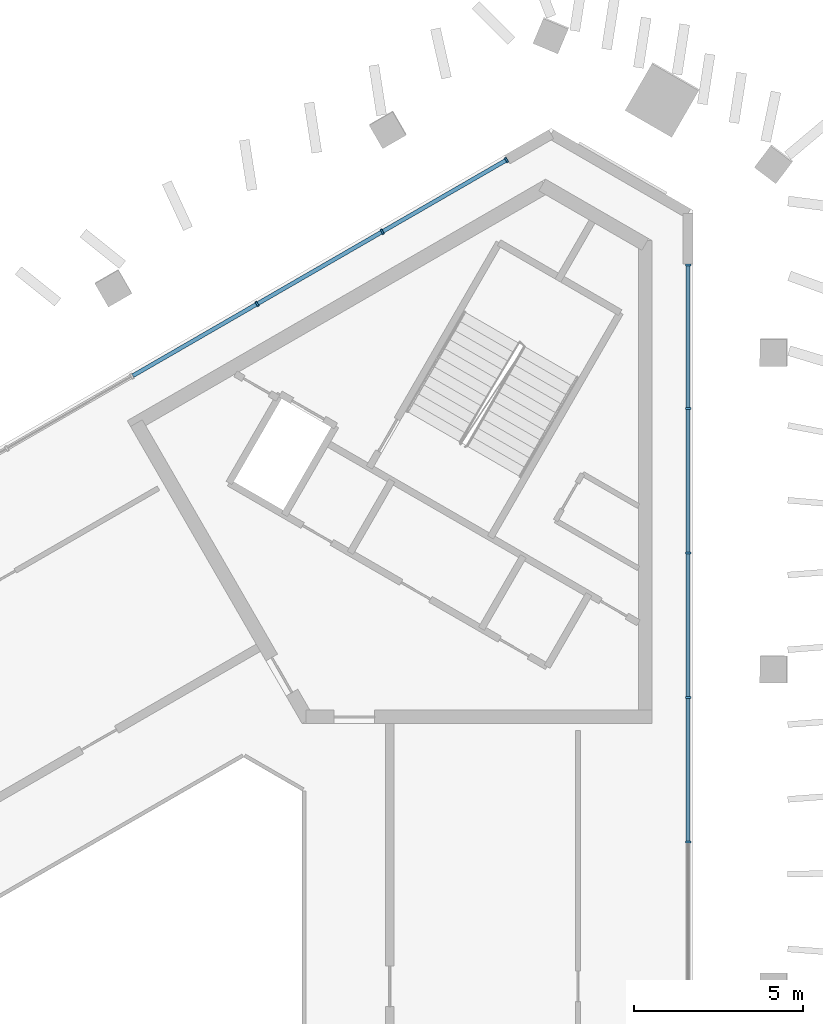
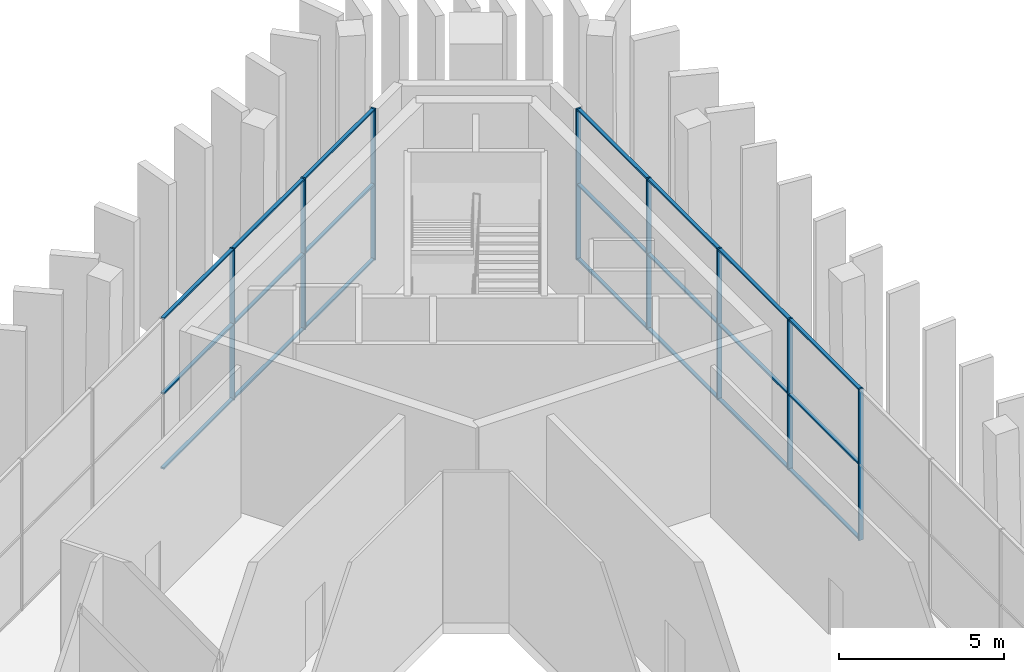
# One storey, part 5 of 12: 29 members, 2 elements without a shape of their own.
"""IFC4 building model written with IfcOpenShell, lengths in metres."""

import ifcopenshell
import ifcopenshell.guid

model = None  # the IFC model being written
_history = None  # IfcOwnerHistory: only IFC2X3 demands one
_inside = {}  # id of a spatial element -> (the spatial element, [elements in it])
_under = {}  # id of a project, library or spatial element -> (it, [spatial elements below it])
_declared = {}  # id of a project -> (the project, [libraries it declares])
_typed = {}  # id of a type object -> (the type object, [elements of that type])
_made_of = {}  # id of a material, layer set ... -> (it, [elements and type objects made of it])


def new_model(schema):
    """Start an empty IFC model of exactly this schema.

    Asked for "IFC4X3", IfcOpenShell would pick the latest addendum, in which some entities
    have other attributes; the version numbers below select the first issue.
    IFC2X3 requires an IfcOwnerHistory on every rooted entity: one is made here for all.
    """
    global model, _history
    if schema == "IFC4X3":
        model = ifcopenshell.file(schema_version=(4, 3, 0, 0))
    else:
        model = ifcopenshell.file(schema=schema)
    _inside.clear()
    _under.clear()
    _declared.clear()
    _typed.clear()
    _made_of.clear()
    _history = None
    if model.schema == "IFC2X3":
        org = make("IfcOrganization", Name="unknown")
        user = make(
            "IfcPersonAndOrganization",
            ThePerson=make("IfcPerson", FamilyName="unknown"),
            TheOrganization=org,
        )
        app = make(
            "IfcApplication",
            ApplicationDeveloper=org,
            Version="unknown",
            ApplicationFullName="unknown",
            ApplicationIdentifier="unknown",
        )
        _history = make(
            "IfcOwnerHistory",
            OwningUser=user,
            OwningApplication=app,
            ChangeAction="ADDED",
            CreationDate=0,
        )
    return model


def make(cls, **values):
    """One entity of the class cls with the attributes given. An attribute that is None is left unset."""
    return model.create_entity(
        cls, **{name: value for name, value in values.items() if value is not None}
    )


def rooted(cls, **values):
    """An entity with a GlobalId (a new one), such as an element, a storey or a relation."""
    return make(cls, GlobalId=ifcopenshell.guid.new(), OwnerHistory=_history, **values)


def si_unit(unit_type, name, prefix=None):
    """IfcSIUnit, for example si_unit("LENGTHUNIT", "METRE", prefix="MILLI")."""
    return make("IfcSIUnit", UnitType=unit_type, Prefix=prefix, Name=name)


def assignment(units):
    """IfcUnitAssignment: the units of a project."""
    return None if units is None else make("IfcUnitAssignment", Units=units)


def point(xyz):
    """IfcCartesianPoint."""
    return None if xyz is None else make("IfcCartesianPoint", Coordinates=xyz)


def direction(xyz):
    """IfcDirection."""
    return None if xyz is None else make("IfcDirection", DirectionRatios=xyz)


def frame(location, z_axis=None, x_axis=None):
    """IfcAxis2Placement3D, a coordinate frame: its origin and axes. An axis left out is left unset."""
    return make(
        "IfcAxis2Placement3D",
        Location=point(location),
        Axis=direction(z_axis),
        RefDirection=direction(x_axis),
    )


def frame_2d(location, x_axis=None):
    """IfcAxis2Placement2D, a coordinate frame in the plane: its origin and x axis."""
    return make(
        "IfcAxis2Placement2D", Location=point(location), RefDirection=direction(x_axis)
    )


def origin():
    """The frame at (0, 0, 0) with its axes left unset."""
    return frame((0.0, 0.0, 0.0))


def origin_2d():
    """The frame at (0, 0) in the plane with its x axis left unset."""
    return frame_2d((0.0, 0.0))


def place(relative_to, where):
    """IfcLocalPlacement: puts the frame where relative to a parent placement (None: the world)."""
    return make(
        "IfcLocalPlacement", PlacementRelTo=relative_to, RelativePlacement=where
    )


def context(
    kind, dimensions, precision=None, world=None, true_north=None, identifier=None
):
    """IfcGeometricRepresentationContext, for example the 3D "Model" context."""
    return make(
        "IfcGeometricRepresentationContext",
        ContextIdentifier=identifier,
        ContextType=kind,
        CoordinateSpaceDimension=dimensions,
        Precision=precision,
        WorldCoordinateSystem=world,
        TrueNorth=true_north,
    )


def subcontext(parent, identifier, kind, view, scale=None):
    """IfcGeometricRepresentationSubContext, for example "Body" below "Model"."""
    return make(
        "IfcGeometricRepresentationSubContext",
        ContextIdentifier=identifier,
        ContextType=kind,
        ParentContext=parent,
        TargetScale=scale,
        TargetView=view,
    )


def project(units=None, contexts=None):
    """IfcProject with its units and contexts."""
    return rooted(
        "IfcProject",
        Name="project",
        RepresentationContexts=contexts,
        UnitsInContext=assignment(units),
    )


def spatial(cls, under=None, at=None, **own):
    """A site, building, storey or space (cls), placed at a placement, below another one or the project."""
    s = rooted(cls, ObjectPlacement=at, **own)
    if under is not None:
        _under.setdefault(under.id(), (under, []))[1].append(s)
    return s


def profile(cls, at=None, kind="AREA", **sizes):
    """A parametric profile (cls). Its sizes go by their IFC names, for example OverallWidth=200.0."""
    return make(cls, ProfileType=kind, Position=at, **sizes)


def rectangle(**sizes):
    """IfcRectangleProfileDef."""
    return profile("IfcRectangleProfileDef", **sizes)


def extrude(swept, where, along, depth):
    """IfcExtrudedAreaSolid: the profile swept, set in the frame where, extruded along a direction by depth."""
    return make(
        "IfcExtrudedAreaSolid",
        SweptArea=swept,
        Position=where,
        ExtrudedDirection=direction(along),
        Depth=depth,
    )


def shape(context_of_items, identifier, shape_type, items):
    """IfcShapeRepresentation: the items that make up one representation, for example the "Body"."""
    return make(
        "IfcShapeRepresentation",
        ContextOfItems=context_of_items,
        RepresentationIdentifier=identifier,
        RepresentationType=shape_type,
        Items=items,
    )


def material(Name=None, Category=None):
    """IfcMaterial."""
    return make("IfcMaterial", Name=Name, Category=Category)


def layer(
    of_material, thickness, ventilated=None, Name=None, Category=None, Priority=None
):
    """IfcMaterialLayer: one layer of a wall or slab, of a material (None: an air gap)."""
    return make(
        "IfcMaterialLayer",
        Material=of_material,
        LayerThickness=thickness,
        IsVentilated=ventilated,
        Name=Name,
        Category=Category,
        Priority=Priority,
    )


def layer_set(layers, Name=None):
    """IfcMaterialLayerSet."""
    return make("IfcMaterialLayerSet", MaterialLayers=layers, LayerSetName=Name)


def material_profile(
    of_material, cross_section, Name=None, Category=None, Priority=None
):
    """IfcMaterialProfile: a cross section and its material."""
    return make(
        "IfcMaterialProfile",
        Name=Name,
        Material=of_material,
        Profile=cross_section,
        Priority=Priority,
        Category=Category,
    )


def profile_set(profiles, Name=None, composite=None):
    """IfcMaterialProfileSet."""
    return make(
        "IfcMaterialProfileSet",
        Name=Name,
        MaterialProfiles=profiles,
        CompositeProfile=composite,
    )


def made_of(thing, what):
    """Note that an element or type object is made of a material, layer set ...; save() writes the relation."""
    if what is not None:
        _made_of.setdefault(what.id(), (what, []))[1].append(thing)
    return thing


def type_object(cls, material=None, **own):
    """A type object (cls), such as IfcWallType, which elements share."""
    return made_of(rooted(cls, **own), material)


def element(
    cls,
    number,
    at=None,
    inside=None,
    cuts=None,
    type_object=None,
    material=None,
    context=None,
    identifier="Body",
    shape_type=None,
    held_by="IfcProductDefinitionShape",
    body=None,
    shapes=None,
    **own,
):
    """One element of the class cls, such as IfcWall. Its Tag is "e" and its number.

    at: its placement. inside: the storey or other place that contains it. cuts: it is an
    opening in that element (IfcRelVoidsElement). A single representation is given by context,
    identifier, shape_type and body (its items); several are given by shapes. held_by: the class
    of the entity that holds the representations. save() writes the other relations.
    """
    e = rooted(cls, Tag="e%d" % number, ObjectPlacement=at, **own)
    if body is not None:
        shapes = [shape(context, identifier, shape_type, body)]
    if shapes is not None:
        e.Representation = make(held_by, Representations=shapes)
    if inside is not None:
        _inside.setdefault(inside.id(), (inside, []))[1].append(e)
    if cuts is not None:
        rooted(
            "IfcRelVoidsElement", RelatingBuildingElement=cuts, RelatedOpeningElement=e
        )
    if type_object is not None:
        _typed.setdefault(type_object.id(), (type_object, []))[1].append(e)
    return made_of(e, material)


def aggregate(whole, parts):
    """IfcRelAggregates: a whole, such as a stair, and the parts it consists of."""
    return rooted("IfcRelAggregates", RelatingObject=whole, RelatedObjects=parts)


def save(model, path):
    """Write the relations noted so far, then the file.

    IfcRelAggregates (storeys below a building ...), IfcRelContainedInSpatialStructure (elements
    in a storey), IfcRelDefinesByType, IfcRelAssociatesMaterial and IfcRelDeclares: one each for
    every whole, place, type object, material and project.
    """
    for whole, parts in _under.values():
        aggregate(whole, parts)
    for where, things in _inside.values():
        rooted(
            "IfcRelContainedInSpatialStructure",
            RelatedElements=things,
            RelatingStructure=where,
        )
    for kind, things in _typed.values():
        rooted("IfcRelDefinesByType", RelatedObjects=things, RelatingType=kind)
    for what, things in _made_of.values():
        rooted("IfcRelAssociatesMaterial", RelatedObjects=things, RelatingMaterial=what)
    for by, libraries in _declared.values():
        rooted("IfcRelDeclares", RelatingContext=by, RelatedDefinitions=libraries)
    model.write(path)


model = new_model("IFC4")

# Units and contexts
model_context = context("Model", 3, precision=1e-05, world=origin(), true_north=direction((0.0, 1.0)))
body_context = subcontext(model_context, "Body", "Model", "MODEL_VIEW")
ifc_project = project(units=[si_unit("LENGTHUNIT", "METRE"), si_unit("AREAUNIT", "SQUARE_METRE"), si_unit("VOLUMEUNIT", "CUBIC_METRE"), si_unit("PLANEANGLEUNIT", "RADIAN"), si_unit("MASSUNIT", "GRAM", prefix="KILO")], contexts=[model_context])

# Site, building, storey
site_placement = place(None, origin())
site = spatial("IfcSite", under=ifc_project, at=site_placement, CompositionType="ELEMENT")
building_placement = place(site_placement, origin())
building = spatial("IfcBuilding", under=site, at=building_placement, Name="Jabali Bay Hotel Tower and Convention Centre", CompositionType="ELEMENT")
storey_placement = place(building_placement, frame((0.0, 0.0, 304.800048828125)))
storey = spatial("IfcBuildingStorey", under=building, at=storey_placement, Name="L75", CompositionType="ELEMENT", Elevation=304.800048828125)

# Curtain wall, members
ifc_material_1 = material(Name="Aluminium and glass", Category="aluminium")
ifc_layer = layer(ifc_material_1, 0.159912109375)
ifc_layer_set = layer_set([ifc_layer], Name="Aluminium and glass")
curtain_wall_type = type_object("IfcCurtainWallType", Name="CW3 curtain wall", PredefinedType="NOTDEFINED", material=ifc_layer_set)
curtain_wall_1_placement = place(storey_placement, origin())
curtain_wall_1 = element("IfcCurtainWall", 1, at=curtain_wall_1_placement, inside=storey, type_object=curtain_wall_type, Name="CW3 curtain wall east face L75", PredefinedType="NOTDEFINED")
ifc_material_2 = material(Name="Aluminium", Category="aluminium")
ifc_material_profile_1 = material_profile(ifc_material_2, rectangle(XDim=0.159912109375, YDim=0.06005859375, at=origin_2d()), Name="CW3 mullion 60 x 160")
ifc_profile_set_1 = profile_set([ifc_material_profile_1], Name="Aluminium")
member_type_1 = type_object("IfcMemberType", Name="CW3 mullion 60 x 160", PredefinedType="MULLION", material=ifc_profile_set_1)
member_1_placement = place(storey_placement, frame((90.9521484375, 101.407470703125, 0.0), z_axis=(0.0, 0.0, 1.0), x_axis=(1.0, 0.0, 0.0)))
member_1 = element("IfcMember", 2, at=member_1_placement, type_object=member_type_1, Name="CW3 mullion 1", PredefinedType="MULLION", context=body_context, shape_type="SweptSolid", body=[
    extrude(rectangle(XDim=0.159912109375, YDim=0.06005859375, at=origin_2d()), origin(), (0.0, 0.0, 1.0), 5.599853515625),
])
member_2_placement = place(storey_placement, frame((90.9521484375, 97.150146484375, 0.0), z_axis=(0.0, 0.0, 1.0), x_axis=(1.0, 0.0, 0.0)))
member_2 = element("IfcMember", 3, at=member_2_placement, type_object=member_type_1, Name="CW3 mullion 2", PredefinedType="MULLION", context=body_context, shape_type="SweptSolid", body=[
    extrude(rectangle(XDim=0.159912109375, YDim=0.06005859375, at=origin_2d()), origin(), (0.0, 0.0, 1.0), 5.599853515625),
])
member_3_placement = place(storey_placement, frame((90.9521484375, 92.862548828125, 0.0), z_axis=(0.0, 0.0, 1.0), x_axis=(1.0, 0.0, 0.0)))
member_3 = element("IfcMember", 4, at=member_3_placement, type_object=member_type_1, Name="CW3 mullion 3", PredefinedType="MULLION", context=body_context, shape_type="SweptSolid", body=[
    extrude(rectangle(XDim=0.159912109375, YDim=0.06005859375, at=origin_2d()), origin(), (0.0, 0.0, 1.0), 5.599853515625),
])
member_4_placement = place(storey_placement, frame((90.9521484375, 88.574951171875, 0.0), z_axis=(0.0, 0.0, 1.0), x_axis=(1.0, 0.0, 0.0)))
member_4 = element("IfcMember", 5, at=member_4_placement, type_object=member_type_1, Name="CW3 mullion 4", PredefinedType="MULLION", context=body_context, shape_type="SweptSolid", body=[
    extrude(rectangle(XDim=0.159912109375, YDim=0.06005859375, at=origin_2d()), origin(), (0.0, 0.0, 1.0), 5.599853515625),
])
member_5_placement = place(storey_placement, frame((90.9521484375, 84.28759765625, 0.0), z_axis=(0.0, 0.0, 1.0), x_axis=(1.0, 0.0, 0.0)))
member_5 = element("IfcMember", 6, at=member_5_placement, type_object=member_type_1, Name="CW3 mullion 5", PredefinedType="MULLION", context=body_context, shape_type="SweptSolid", body=[
    extrude(rectangle(XDim=0.159912109375, YDim=0.06005859375, at=origin_2d()), origin(), (0.0, 0.0, 1.0), 5.599853515625),
])

curtain_wall_2_placement = place(storey_placement, origin())
curtain_wall_2 = element("IfcCurtainWall", 7, at=curtain_wall_2_placement, inside=storey, type_object=curtain_wall_type, Name="CW3 curtain wall north-west face L75", PredefinedType="NOTDEFINED")
member_6_placement = place(storey_placement, frame((78.163330078125, 100.24609375, 0.0), z_axis=(0.0, 0.0, 1.0), x_axis=(-0.500000013347, 0.866025396079, 0.0)))
member_6 = element("IfcMember", 8, at=member_6_placement, type_object=member_type_1, Name="CW3 mullion 9", PredefinedType="MULLION", context=body_context, shape_type="SweptSolid", body=[
    extrude(rectangle(XDim=0.159912109375, YDim=0.06005859375, at=origin_2d()), origin(), (0.0, 0.0, 1.0), 5.599853515625),
])
member_7_placement = place(storey_placement, frame((81.87646484375, 102.389892578125, 0.0), z_axis=(0.0, 0.0, 1.0), x_axis=(-0.500000013347, 0.866025396079, 0.0)))
member_7 = element("IfcMember", 9, at=member_7_placement, type_object=member_type_1, Name="CW3 mullion 10", PredefinedType="MULLION", context=body_context, shape_type="SweptSolid", body=[
    extrude(rectangle(XDim=0.159912109375, YDim=0.06005859375, at=origin_2d()), origin(), (0.0, 0.0, 1.0), 5.599853515625),
])
member_8_placement = place(storey_placement, frame((85.5634765625, 104.518798828125, 0.0), z_axis=(0.0, 0.0, 1.0), x_axis=(-0.500000013347, 0.866025396079, 0.0)))
member_8 = element("IfcMember", 10, at=member_8_placement, type_object=member_type_1, Name="CW3 mullion 11", PredefinedType="MULLION", context=body_context, shape_type="SweptSolid", body=[
    extrude(rectangle(XDim=0.159912109375, YDim=0.06005859375, at=origin_2d()), origin(), (0.0, 0.0, 1.0), 5.599853515625),
])

# Member
ifc_material_profile_2 = material_profile(ifc_material_2, rectangle(XDim=0.1201171875, YDim=0.06005859375, at=origin_2d()), Name="CW3 transom 60 x 120")
ifc_profile_set_2 = profile_set([ifc_material_profile_2], Name="Aluminium")
member_type_2 = type_object("IfcMemberType", Name="CW3 transom 60 x 120", PredefinedType="USERDEFINED", material=ifc_profile_set_2)
member_9_placement = place(storey_placement, frame((90.9521484375, 101.377685546875, 0.030029296875), z_axis=(0.0, -1.0, 0.0), x_axis=(1.0, 0.0, 0.0)))
member_9 = element("IfcMember", 11, at=member_9_placement, type_object=member_type_2, Name="CW3 transom 1.1", ObjectType="TRANSOM", PredefinedType="USERDEFINED", context=body_context, shape_type="SweptSolid", body=[
    extrude(rectangle(XDim=0.1201171875, YDim=0.06005859375, at=origin_2d()), origin(), (0.0, 0.0, 1.0), 4.197509765625),
])

member_10_placement = place(storey_placement, frame((90.9521484375, 101.377685546875, 2.800048828125), z_axis=(0.0, -1.0, 0.0), x_axis=(1.0, 0.0, 0.0)))
member_10 = element("IfcMember", 12, at=member_10_placement, type_object=member_type_2, Name="CW3 transom 1.2", ObjectType="TRANSOM", PredefinedType="USERDEFINED", context=body_context, shape_type="SweptSolid", body=[
    extrude(rectangle(XDim=0.1201171875, YDim=0.06005859375, at=origin_2d()), origin(), (0.0, 0.0, 1.0), 4.197509765625),
])

member_11_placement = place(storey_placement, frame((90.9521484375, 101.377685546875, 5.570068359375), z_axis=(0.0, -1.0, 0.0), x_axis=(1.0, 0.0, 0.0)))
member_11 = element("IfcMember", 13, at=member_11_placement, type_object=member_type_2, Name="CW3 transom 1.3", ObjectType="TRANSOM", PredefinedType="USERDEFINED", context=body_context, shape_type="SweptSolid", body=[
    extrude(rectangle(XDim=0.1201171875, YDim=0.06005859375, at=origin_2d()), origin(), (0.0, 0.0, 1.0), 4.197509765625),
])

member_12_placement = place(storey_placement, frame((90.9521484375, 97.1201171875, 0.030029296875), z_axis=(0.0, -1.0, 0.0), x_axis=(1.0, 0.0, 0.0)))
member_12 = element("IfcMember", 14, at=member_12_placement, type_object=member_type_2, Name="CW3 transom 2.1", ObjectType="TRANSOM", PredefinedType="USERDEFINED", context=body_context, shape_type="SweptSolid", body=[
    extrude(rectangle(XDim=0.1201171875, YDim=0.06005859375, at=origin_2d()), origin(), (0.0, 0.0, 1.0), 4.2275390625),
])

member_13_placement = place(storey_placement, frame((90.9521484375, 97.1201171875, 2.800048828125), z_axis=(0.0, -1.0, 0.0), x_axis=(1.0, 0.0, 0.0)))
member_13 = element("IfcMember", 15, at=member_13_placement, type_object=member_type_2, Name="CW3 transom 2.2", ObjectType="TRANSOM", PredefinedType="USERDEFINED", context=body_context, shape_type="SweptSolid", body=[
    extrude(rectangle(XDim=0.1201171875, YDim=0.06005859375, at=origin_2d()), origin(), (0.0, 0.0, 1.0), 4.2275390625),
])

member_14_placement = place(storey_placement, frame((90.9521484375, 97.1201171875, 5.570068359375), z_axis=(0.0, -1.0, 0.0), x_axis=(1.0, 0.0, 0.0)))
member_14 = element("IfcMember", 16, at=member_14_placement, type_object=member_type_2, Name="CW3 transom 2.3", ObjectType="TRANSOM", PredefinedType="USERDEFINED", context=body_context, shape_type="SweptSolid", body=[
    extrude(rectangle(XDim=0.1201171875, YDim=0.06005859375, at=origin_2d()), origin(), (0.0, 0.0, 1.0), 4.2275390625),
])

member_15_placement = place(storey_placement, frame((90.9521484375, 92.83251953125, 0.030029296875), z_axis=(0.0, -1.0, 0.0), x_axis=(1.0, 0.0, 0.0)))
member_15 = element("IfcMember", 17, at=member_15_placement, type_object=member_type_2, Name="CW3 transom 3.1", ObjectType="TRANSOM", PredefinedType="USERDEFINED", context=body_context, shape_type="SweptSolid", body=[
    extrude(rectangle(XDim=0.1201171875, YDim=0.06005859375, at=origin_2d()), origin(), (0.0, 0.0, 1.0), 4.2275390625),
])

member_16_placement = place(storey_placement, frame((90.9521484375, 92.83251953125, 2.800048828125), z_axis=(0.0, -1.0, 0.0), x_axis=(1.0, 0.0, 0.0)))
member_16 = element("IfcMember", 18, at=member_16_placement, type_object=member_type_2, Name="CW3 transom 3.2", ObjectType="TRANSOM", PredefinedType="USERDEFINED", context=body_context, shape_type="SweptSolid", body=[
    extrude(rectangle(XDim=0.1201171875, YDim=0.06005859375, at=origin_2d()), origin(), (0.0, 0.0, 1.0), 4.2275390625),
])

member_17_placement = place(storey_placement, frame((90.9521484375, 92.83251953125, 5.570068359375), z_axis=(0.0, -1.0, 0.0), x_axis=(1.0, 0.0, 0.0)))
member_17 = element("IfcMember", 19, at=member_17_placement, type_object=member_type_2, Name="CW3 transom 3.3", ObjectType="TRANSOM", PredefinedType="USERDEFINED", context=body_context, shape_type="SweptSolid", body=[
    extrude(rectangle(XDim=0.1201171875, YDim=0.06005859375, at=origin_2d()), origin(), (0.0, 0.0, 1.0), 4.2275390625),
])

member_18_placement = place(storey_placement, frame((90.9521484375, 88.544921875, 0.030029296875), z_axis=(0.0, -1.0, 0.0), x_axis=(1.0, 0.0, 0.0)))
member_18 = element("IfcMember", 20, at=member_18_placement, type_object=member_type_2, Name="CW3 transom 4.1", ObjectType="TRANSOM", PredefinedType="USERDEFINED", context=body_context, shape_type="SweptSolid", body=[
    extrude(rectangle(XDim=0.1201171875, YDim=0.06005859375, at=origin_2d()), origin(), (0.0, 0.0, 1.0), 4.227294921875),
])

member_19_placement = place(storey_placement, frame((90.9521484375, 88.544921875, 2.800048828125), z_axis=(0.0, -1.0, 0.0), x_axis=(1.0, 0.0, 0.0)))
member_19 = element("IfcMember", 21, at=member_19_placement, type_object=member_type_2, Name="CW3 transom 4.2", ObjectType="TRANSOM", PredefinedType="USERDEFINED", context=body_context, shape_type="SweptSolid", body=[
    extrude(rectangle(XDim=0.1201171875, YDim=0.06005859375, at=origin_2d()), origin(), (0.0, 0.0, 1.0), 4.227294921875),
])

member_20_placement = place(storey_placement, frame((90.9521484375, 88.544921875, 5.570068359375), z_axis=(0.0, -1.0, 0.0), x_axis=(1.0, 0.0, 0.0)))
member_20 = element("IfcMember", 22, at=member_20_placement, type_object=member_type_2, Name="CW3 transom 4.3", ObjectType="TRANSOM", PredefinedType="USERDEFINED", context=body_context, shape_type="SweptSolid", body=[
    extrude(rectangle(XDim=0.1201171875, YDim=0.06005859375, at=origin_2d()), origin(), (0.0, 0.0, 1.0), 4.227294921875),
])

aggregate(curtain_wall_1, [member_1, member_2, member_3, member_4, member_5, member_9, member_10, member_11, member_12, member_13, member_14, member_15, member_16, member_17, member_18, member_19, member_20])

member_21_placement = place(storey_placement, frame((74.47607421875, 98.117431640625, 0.030029296875), z_axis=(0.866024019333, 0.500002397932, 0.0), x_axis=(-0.500002397932, 0.866024019333, 0.0)))
member_21 = element("IfcMember", 23, at=member_21_placement, type_object=member_type_2, Name="CW3 transom 8.1", ObjectType="TRANSOM", PredefinedType="USERDEFINED", context=body_context, shape_type="SweptSolid", body=[
    extrude(rectangle(XDim=0.1201171875, YDim=0.06005859375, at=origin_2d()), origin(), (0.0, 0.0, 1.0), 4.2275390625),
])

member_22_placement = place(storey_placement, frame((74.47607421875, 98.117431640625, 2.800048828125), z_axis=(0.866024019333, 0.500002397932, 0.0), x_axis=(-0.500002397932, 0.866024019333, 0.0)))
member_22 = element("IfcMember", 24, at=member_22_placement, type_object=member_type_2, Name="CW3 transom 8.2", ObjectType="TRANSOM", PredefinedType="USERDEFINED", context=body_context, shape_type="SweptSolid", body=[
    extrude(rectangle(XDim=0.1201171875, YDim=0.06005859375, at=origin_2d()), origin(), (0.0, 0.0, 1.0), 4.2275390625),
])

member_23_placement = place(storey_placement, frame((74.47607421875, 98.117431640625, 5.570068359375), z_axis=(0.866024019333, 0.500002397932, 0.0), x_axis=(-0.500002397932, 0.866024019333, 0.0)))
member_23 = element("IfcMember", 25, at=member_23_placement, type_object=member_type_2, Name="CW3 transom 8.3", ObjectType="TRANSOM", PredefinedType="USERDEFINED", context=body_context, shape_type="SweptSolid", body=[
    extrude(rectangle(XDim=0.1201171875, YDim=0.06005859375, at=origin_2d()), origin(), (0.0, 0.0, 1.0), 4.2275390625),
])

member_24_placement = place(storey_placement, frame((78.189208984375, 100.26123046875, 0.030029296875), z_axis=(0.866024019333, 0.500002397932, 0.0), x_axis=(-0.500002397932, 0.866024019333, 0.0)))
member_24 = element("IfcMember", 26, at=member_24_placement, type_object=member_type_2, Name="CW3 transom 9.1", ObjectType="TRANSOM", PredefinedType="USERDEFINED", context=body_context, shape_type="SweptSolid", body=[
    extrude(rectangle(XDim=0.1201171875, YDim=0.06005859375, at=origin_2d()), origin(), (0.0, 0.0, 1.0), 4.2275390625),
])

member_25_placement = place(storey_placement, frame((78.189208984375, 100.26123046875, 2.800048828125), z_axis=(0.866024019333, 0.500002397932, 0.0), x_axis=(-0.500002397932, 0.866024019333, 0.0)))
member_25 = element("IfcMember", 27, at=member_25_placement, type_object=member_type_2, Name="CW3 transom 9.2", ObjectType="TRANSOM", PredefinedType="USERDEFINED", context=body_context, shape_type="SweptSolid", body=[
    extrude(rectangle(XDim=0.1201171875, YDim=0.06005859375, at=origin_2d()), origin(), (0.0, 0.0, 1.0), 4.2275390625),
])

member_26_placement = place(storey_placement, frame((78.189208984375, 100.26123046875, 5.570068359375), z_axis=(0.866024019333, 0.500002397932, 0.0), x_axis=(-0.500002397932, 0.866024019333, 0.0)))
member_26 = element("IfcMember", 28, at=member_26_placement, type_object=member_type_2, Name="CW3 transom 9.3", ObjectType="TRANSOM", PredefinedType="USERDEFINED", context=body_context, shape_type="SweptSolid", body=[
    extrude(rectangle(XDim=0.1201171875, YDim=0.06005859375, at=origin_2d()), origin(), (0.0, 0.0, 1.0), 4.2275390625),
])

member_27_placement = place(storey_placement, frame((81.90234375, 102.405029296875, 0.030029296875), z_axis=(0.866044178973, 0.499967479009, 0.0), x_axis=(-0.499967479009, 0.866044178973, 0.0)))
member_27 = element("IfcMember", 29, at=member_27_placement, type_object=member_type_2, Name="CW3 transom 10.1", ObjectType="TRANSOM", PredefinedType="USERDEFINED", context=body_context, shape_type="SweptSolid", body=[
    extrude(rectangle(XDim=0.1201171875, YDim=0.06005859375, at=origin_2d()), origin(), (0.0, 0.0, 1.0), 4.197509765625),
])

member_28_placement = place(storey_placement, frame((81.90234375, 102.405029296875, 2.800048828125), z_axis=(0.866044178973, 0.499967479009, 0.0), x_axis=(-0.499967479009, 0.866044178973, 0.0)))
member_28 = element("IfcMember", 30, at=member_28_placement, type_object=member_type_2, Name="CW3 transom 10.2", ObjectType="TRANSOM", PredefinedType="USERDEFINED", context=body_context, shape_type="SweptSolid", body=[
    extrude(rectangle(XDim=0.1201171875, YDim=0.06005859375, at=origin_2d()), origin(), (0.0, 0.0, 1.0), 4.197509765625),
])

member_29_placement = place(storey_placement, frame((81.90234375, 102.405029296875, 5.570068359375), z_axis=(0.866044178973, 0.499967479009, 0.0), x_axis=(-0.499967479009, 0.866044178973, 0.0)))
member_29 = element("IfcMember", 31, at=member_29_placement, type_object=member_type_2, Name="CW3 transom 10.3", ObjectType="TRANSOM", PredefinedType="USERDEFINED", context=body_context, shape_type="SweptSolid", body=[
    extrude(rectangle(XDim=0.1201171875, YDim=0.06005859375, at=origin_2d()), origin(), (0.0, 0.0, 1.0), 4.197509765625),
])

aggregate(curtain_wall_2, [member_6, member_7, member_8, member_21, member_22, member_23, member_24, member_25, member_26, member_27, member_28, member_29])

save(model, "model.ifc")
